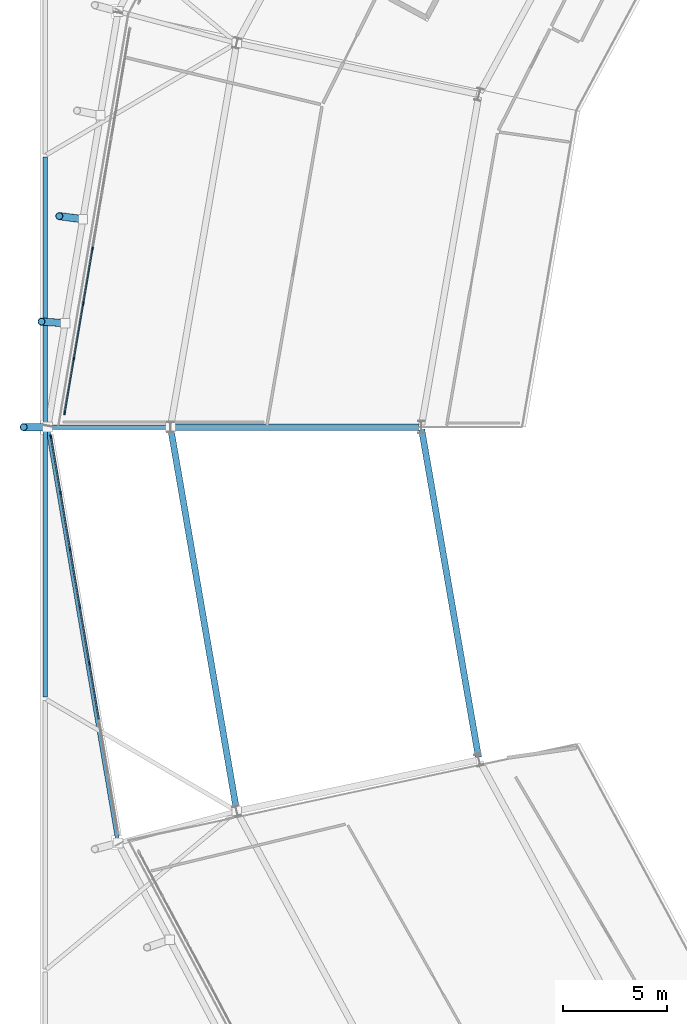
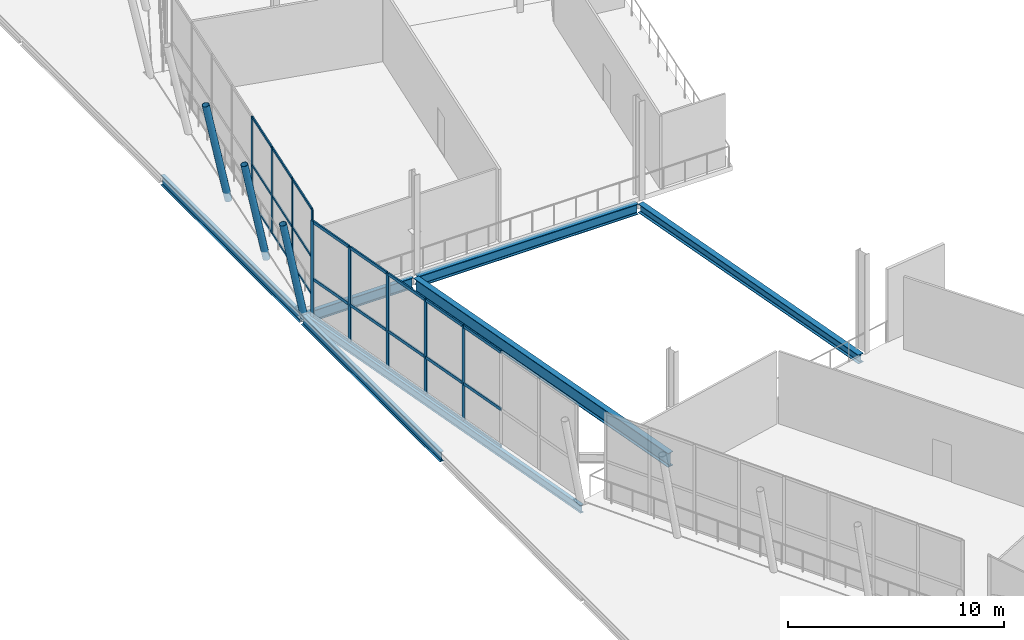
# One storey, part 25 of 99: 36 members, 7 beams, 2 elements without a shape of their own.
"""IFC4 building model written with IfcOpenShell, lengths in metres."""

from ifc_helpers import new_model, si_unit, direction, frame, origin, origin_2d, place, context, subcontext, project, spatial, rectangle, hollow_circle, i_section, extrude, material, material_profile, profile_set, type_object, element, aggregate, save


model = new_model("IFC4")

# Units and contexts
model_context = context("Model", 3, precision=1e-05, world=origin(), true_north=direction((0.0, 1.0)))
body_context = subcontext(model_context, "Body", "Model", "MODEL_VIEW")
ifc_project = project(units=[si_unit("LENGTHUNIT", "METRE"), si_unit("AREAUNIT", "SQUARE_METRE"), si_unit("VOLUMEUNIT", "CUBIC_METRE"), si_unit("PLANEANGLEUNIT", "RADIAN"), si_unit("MASSUNIT", "GRAM", prefix="KILO")], contexts=[model_context])

# Site, building, storey
site_placement = place(None, origin())
site = spatial("IfcSite", under=ifc_project, at=site_placement, CompositionType="ELEMENT")
building_placement = place(site_placement, origin())
building = spatial("IfcBuilding", under=site, at=building_placement, Name="Zlatoyarsky Gate Stadium", CompositionType="ELEMENT")
storey_placement = place(building_placement, frame((0.0, 0.0, 26.199951171875)))
storey = spatial("IfcBuildingStorey", under=building, at=storey_placement, Name="L05", CompositionType="ELEMENT", Elevation=26.199951171875)

# Curtain wall, members
ifc_material_1 = material(Name="Thermally broken anodised aluminium curtain wall", Category="aluminium")
curtain_wall_type_1 = type_object("IfcCurtainWallType", Name="MONUMENTAL ARCHED GATE GLAZING UPPER", PredefinedType="USERDEFINED", material=ifc_material_1)
curtain_wall_1_placement = place(storey_placement, origin())
curtain_wall_1 = element("IfcCurtainWall", 1, at=curtain_wall_1_placement, inside=storey, type_object=curtain_wall_type_1, Name="Curtain wall CW-L05-12", ObjectType="ARCHED GATE GLAZING", PredefinedType="USERDEFINED")
ifc_material_2 = material(Name="Anodised aluminium 6063-T6", Category="aluminium")
ifc_material_profile_1 = material_profile(ifc_material_2, rectangle(XDim=0.074951171875, YDim=0.18994140625, at=origin_2d()), Name="ALU 75X190")
ifc_profile_set_1 = profile_set([ifc_material_profile_1], Name="Anodised aluminium 6063-T6")
member_type_1 = type_object("IfcMemberType", Name="ALUMINIUM GATE MULLION 75X190", PredefinedType="MULLION", material=ifc_profile_set_1)
member_1_placement = place(storey_placement, frame((12.283203125, 79.519287109375, -0.260009765625), z_axis=(0.0, 0.0, 1.0), x_axis=(0.985957733522, 0.166995052945, 0.0)))
member_1 = element("IfcMember", 2, at=member_1_placement, type_object=member_type_1, Name="CW-AG2 mullion 1", PredefinedType="MULLION", context=body_context, shape_type="SweptSolid", body=[
    extrude(rectangle(XDim=0.074951171875, YDim=0.18994140625, at=origin_2d()), origin(), (0.0, 0.0, 1.0), 5.41015625),
])
member_2_placement = place(storey_placement, frame((12.736572265625, 76.843505859375, -0.260009765625), z_axis=(0.0, 0.0, 1.0), x_axis=(0.985957733522, 0.166995052945, 0.0)))
member_2 = element("IfcMember", 3, at=member_2_placement, type_object=member_type_1, Name="CW-AG2 mullion 2", PredefinedType="MULLION", context=body_context, shape_type="SweptSolid", body=[
    extrude(rectangle(XDim=0.074951171875, YDim=0.18994140625, at=origin_2d()), origin(), (0.0, 0.0, 1.0), 5.41015625),
])
member_3_placement = place(storey_placement, frame((13.196044921875, 74.130859375, -0.260009765625), z_axis=(0.0, 0.0, 1.0), x_axis=(0.985957733522, 0.166995052945, 0.0)))
member_3 = element("IfcMember", 4, at=member_3_placement, type_object=member_type_1, Name="CW-AG2 mullion 3", PredefinedType="MULLION", context=body_context, shape_type="SweptSolid", body=[
    extrude(rectangle(XDim=0.074951171875, YDim=0.18994140625, at=origin_2d()), origin(), (0.0, 0.0, 1.0), 5.41015625),
])
member_4_placement = place(storey_placement, frame((13.655517578125, 71.41796875, -0.260009765625), z_axis=(0.0, 0.0, 1.0), x_axis=(0.985957733522, 0.166995052945, 0.0)))
member_4 = element("IfcMember", 5, at=member_4_placement, type_object=member_type_1, Name="CW-AG2 mullion 4", PredefinedType="MULLION", context=body_context, shape_type="SweptSolid", body=[
    extrude(rectangle(XDim=0.074951171875, YDim=0.18994140625, at=origin_2d()), origin(), (0.0, 0.0, 1.0), 5.41015625),
])
member_5_placement = place(storey_placement, frame((14.114990234375, 68.705322265625, -0.260009765625), z_axis=(0.0, 0.0, 1.0), x_axis=(0.985957733522, 0.166995052945, 0.0)))
member_5 = element("IfcMember", 6, at=member_5_placement, type_object=member_type_1, Name="CW-AG2 mullion 5", PredefinedType="MULLION", context=body_context, shape_type="SweptSolid", body=[
    extrude(rectangle(XDim=0.074951171875, YDim=0.18994140625, at=origin_2d()), origin(), (0.0, 0.0, 1.0), 5.41015625),
])
ifc_material_profile_2 = material_profile(ifc_material_2, rectangle(XDim=0.074951171875, YDim=0.169921875, at=origin_2d()), Name="ALU 75X170")
ifc_profile_set_2 = profile_set([ifc_material_profile_2], Name="Anodised aluminium 6063-T6")
member_type_2 = type_object("IfcMemberType", Name="ALUMINIUM GATE TRANSOM 75X170", PredefinedType="USERDEFINED", material=ifc_profile_set_2)
member_6_placement = place(storey_placement, frame((12.28955078125, 79.482421875, -0.222412109375), z_axis=(0.166993906311, -0.985957927731, 0.0), x_axis=(0.985957927731, 0.166993906311, 0.0)))
member_6 = element("IfcMember", 7, at=member_6_placement, type_object=member_type_2, Name="CW-AG2 transom 1.1", ObjectType="TRANSOM", PredefinedType="USERDEFINED", context=body_context, shape_type="SweptSolid", body=[
    extrude(rectangle(XDim=0.074951171875, YDim=0.169921875, at=origin_2d()), origin(), (0.0, 0.0, 1.0), 2.638916015625),
])
member_7_placement = place(storey_placement, frame((12.28955078125, 79.482421875, 1.89013671875), z_axis=(0.166993906311, -0.985957927731, 0.0), x_axis=(0.985957927731, 0.166993906311, 0.0)))
member_7 = element("IfcMember", 8, at=member_7_placement, type_object=member_type_2, Name="CW-AG2 transom 1.2", ObjectType="TRANSOM", PredefinedType="USERDEFINED", context=body_context, shape_type="SweptSolid", body=[
    extrude(rectangle(XDim=0.074951171875, YDim=0.169921875, at=origin_2d()), origin(), (0.0, 0.0, 1.0), 2.638916015625),
])
member_8_placement = place(storey_placement, frame((12.28955078125, 79.482421875, 5.112548828125), z_axis=(0.166993906311, -0.985957927731, 0.0), x_axis=(0.985957927731, 0.166993906311, 0.0)))
member_8 = element("IfcMember", 9, at=member_8_placement, type_object=member_type_2, Name="CW-AG2 transom 1.3", ObjectType="TRANSOM", PredefinedType="USERDEFINED", context=body_context, shape_type="SweptSolid", body=[
    extrude(rectangle(XDim=0.074951171875, YDim=0.169921875, at=origin_2d()), origin(), (0.0, 0.0, 1.0), 2.638916015625),
])
member_9_placement = place(storey_placement, frame((12.74267578125, 76.806640625, -0.222412109375), z_axis=(0.167016554853, -0.985954091429, 0.0), x_axis=(0.985954091429, 0.167016554853, 0.0)))
member_9 = element("IfcMember", 10, at=member_9_placement, type_object=member_type_2, Name="CW-AG2 transom 2.1", ObjectType="TRANSOM", PredefinedType="USERDEFINED", context=body_context, shape_type="SweptSolid", body=[
    extrude(rectangle(XDim=0.074951171875, YDim=0.169921875, at=origin_2d()), origin(), (0.0, 0.0, 1.0), 2.676513671875),
])
member_10_placement = place(storey_placement, frame((12.74267578125, 76.806640625, 1.89013671875), z_axis=(0.167016554853, -0.985954091429, 0.0), x_axis=(0.985954091429, 0.167016554853, 0.0)))
member_10 = element("IfcMember", 11, at=member_10_placement, type_object=member_type_2, Name="CW-AG2 transom 2.2", ObjectType="TRANSOM", PredefinedType="USERDEFINED", context=body_context, shape_type="SweptSolid", body=[
    extrude(rectangle(XDim=0.074951171875, YDim=0.169921875, at=origin_2d()), origin(), (0.0, 0.0, 1.0), 2.676513671875),
])
member_11_placement = place(storey_placement, frame((12.74267578125, 76.806640625, 5.112548828125), z_axis=(0.167016554853, -0.985954091429, 0.0), x_axis=(0.985954091429, 0.167016554853, 0.0)))
member_11 = element("IfcMember", 12, at=member_11_placement, type_object=member_type_2, Name="CW-AG2 transom 2.3", ObjectType="TRANSOM", PredefinedType="USERDEFINED", context=body_context, shape_type="SweptSolid", body=[
    extrude(rectangle(XDim=0.074951171875, YDim=0.169921875, at=origin_2d()), origin(), (0.0, 0.0, 1.0), 2.676513671875),
])
member_12_placement = place(storey_placement, frame((13.2021484375, 74.09375, -0.222412109375), z_axis=(0.167031576788, -0.985951546657, 0.0), x_axis=(0.985951546657, 0.167031576788, 0.0)))
member_12 = element("IfcMember", 13, at=member_12_placement, type_object=member_type_2, Name="CW-AG2 transom 3.1", ObjectType="TRANSOM", PredefinedType="USERDEFINED", context=body_context, shape_type="SweptSolid", body=[
    extrude(rectangle(XDim=0.074951171875, YDim=0.169921875, at=origin_2d()), origin(), (0.0, 0.0, 1.0), 2.67626953125),
])
member_13_placement = place(storey_placement, frame((13.2021484375, 74.09375, 1.89013671875), z_axis=(0.167031576788, -0.985951546657, 0.0), x_axis=(0.985951546657, 0.167031576788, 0.0)))
member_13 = element("IfcMember", 14, at=member_13_placement, type_object=member_type_2, Name="CW-AG2 transom 3.2", ObjectType="TRANSOM", PredefinedType="USERDEFINED", context=body_context, shape_type="SweptSolid", body=[
    extrude(rectangle(XDim=0.074951171875, YDim=0.169921875, at=origin_2d()), origin(), (0.0, 0.0, 1.0), 2.67626953125),
])
member_14_placement = place(storey_placement, frame((13.2021484375, 74.09375, 5.112548828125), z_axis=(0.167031576788, -0.985951546657, 0.0), x_axis=(0.985951546657, 0.167031576788, 0.0)))
member_14 = element("IfcMember", 15, at=member_14_placement, type_object=member_type_2, Name="CW-AG2 transom 3.3", ObjectType="TRANSOM", PredefinedType="USERDEFINED", context=body_context, shape_type="SweptSolid", body=[
    extrude(rectangle(XDim=0.074951171875, YDim=0.169921875, at=origin_2d()), origin(), (0.0, 0.0, 1.0), 2.67626953125),
])
member_15_placement = place(storey_placement, frame((13.66162109375, 71.381103515625, -0.222412109375), z_axis=(0.167016554853, -0.985954091429, 0.0), x_axis=(0.985954091429, 0.167016554853, 0.0)))
member_15 = element("IfcMember", 16, at=member_15_placement, type_object=member_type_2, Name="CW-AG2 transom 4.1", ObjectType="TRANSOM", PredefinedType="USERDEFINED", context=body_context, shape_type="SweptSolid", body=[
    extrude(rectangle(XDim=0.074951171875, YDim=0.169921875, at=origin_2d()), origin(), (0.0, 0.0, 1.0), 2.676513671875),
])
member_16_placement = place(storey_placement, frame((13.66162109375, 71.381103515625, 1.89013671875), z_axis=(0.167016554853, -0.985954091429, 0.0), x_axis=(0.985954091429, 0.167016554853, 0.0)))
member_16 = element("IfcMember", 17, at=member_16_placement, type_object=member_type_2, Name="CW-AG2 transom 4.2", ObjectType="TRANSOM", PredefinedType="USERDEFINED", context=body_context, shape_type="SweptSolid", body=[
    extrude(rectangle(XDim=0.074951171875, YDim=0.169921875, at=origin_2d()), origin(), (0.0, 0.0, 1.0), 2.676513671875),
])
member_17_placement = place(storey_placement, frame((13.66162109375, 71.381103515625, 5.112548828125), z_axis=(0.167016554853, -0.985954091429, 0.0), x_axis=(0.985954091429, 0.167016554853, 0.0)))
member_17 = element("IfcMember", 18, at=member_17_placement, type_object=member_type_2, Name="CW-AG2 transom 4.3", ObjectType="TRANSOM", PredefinedType="USERDEFINED", context=body_context, shape_type="SweptSolid", body=[
    extrude(rectangle(XDim=0.074951171875, YDim=0.169921875, at=origin_2d()), origin(), (0.0, 0.0, 1.0), 2.676513671875),
])
member_18_placement = place(storey_placement, frame((14.12109375, 68.668212890625, -0.222412109375), z_axis=(0.167016554853, -0.985954091429, 0.0), x_axis=(0.985954091429, 0.167016554853, 0.0)))
member_18 = element("IfcMember", 19, at=member_18_placement, type_object=member_type_2, Name="CW-AG2 transom 5.1", ObjectType="TRANSOM", PredefinedType="USERDEFINED", context=body_context, shape_type="SweptSolid", body=[
    extrude(rectangle(XDim=0.074951171875, YDim=0.169921875, at=origin_2d()), origin(), (0.0, 0.0, 1.0), 2.676513671875),
])
member_19_placement = place(storey_placement, frame((14.12109375, 68.668212890625, 1.89013671875), z_axis=(0.167016554853, -0.985954091429, 0.0), x_axis=(0.985954091429, 0.167016554853, 0.0)))
member_19 = element("IfcMember", 20, at=member_19_placement, type_object=member_type_2, Name="CW-AG2 transom 5.2", ObjectType="TRANSOM", PredefinedType="USERDEFINED", context=body_context, shape_type="SweptSolid", body=[
    extrude(rectangle(XDim=0.074951171875, YDim=0.169921875, at=origin_2d()), origin(), (0.0, 0.0, 1.0), 2.676513671875),
])
member_20_placement = place(storey_placement, frame((14.12109375, 68.668212890625, 5.112548828125), z_axis=(0.167016554853, -0.985954091429, 0.0), x_axis=(0.985954091429, 0.167016554853, 0.0)))
member_20 = element("IfcMember", 21, at=member_20_placement, type_object=member_type_2, Name="CW-AG2 transom 5.3", ObjectType="TRANSOM", PredefinedType="USERDEFINED", context=body_context, shape_type="SweptSolid", body=[
    extrude(rectangle(XDim=0.074951171875, YDim=0.169921875, at=origin_2d()), origin(), (0.0, 0.0, 1.0), 2.676513671875),
])
aggregate(curtain_wall_1, [member_1, member_2, member_3, member_4, member_5, member_6, member_7, member_8, member_9, member_10, member_11, member_12, member_13, member_14, member_15, member_16, member_17, member_18, member_19, member_20])

curtain_wall_type_2 = type_object("IfcCurtainWallType", Name="UNITISED SKYBOX RING GLAZING L05", PredefinedType="USERDEFINED", material=ifc_material_1)
curtain_wall_2_placement = place(storey_placement, origin())
curtain_wall_2 = element("IfcCurtainWall", 22, at=curtain_wall_2_placement, inside=storey, type_object=curtain_wall_type_2, Name="Curtain wall CW-L05-11", ObjectType="UNITISED GLAZING", PredefinedType="USERDEFINED")
ifc_material_profile_3 = material_profile(ifc_material_2, rectangle(XDim=0.06494140625, YDim=0.159912109375, at=origin_2d()), Name="ALU 65X160")
ifc_profile_set_3 = profile_set([ifc_material_profile_3], Name="Anodised aluminium 6063-T6")
member_type_3 = type_object("IfcMemberType", Name="ALUMINIUM MULLION 65X160", PredefinedType="MULLION", material=ifc_profile_set_3)
member_21_placement = place(storey_placement, frame((14.271240234375, 88.54150390625, 0.0), z_axis=(0.0, 0.0, 1.0), x_axis=(0.985908807049, -0.167283663824, 0.0)))
member_21 = element("IfcMember", 23, at=member_21_placement, type_object=member_type_3, Name="CW-UG5 mullion 5", PredefinedType="MULLION", context=body_context, shape_type="SweptSolid", body=[
    extrude(rectangle(XDim=0.06494140625, YDim=0.159912109375, at=origin_2d()), origin(), (0.0, 0.0, 1.0), 4.880126953125),
])
member_22_placement = place(storey_placement, frame((13.82421875, 85.907958984375, 0.0), z_axis=(0.0, 0.0, 1.0), x_axis=(0.985908807049, -0.167283663824, 0.0)))
member_22 = element("IfcMember", 24, at=member_22_placement, type_object=member_type_3, Name="CW-UG5 mullion 6", PredefinedType="MULLION", context=body_context, shape_type="SweptSolid", body=[
    extrude(rectangle(XDim=0.06494140625, YDim=0.159912109375, at=origin_2d()), origin(), (0.0, 0.0, 1.0), 4.880126953125),
])
member_23_placement = place(storey_placement, frame((13.37744140625, 83.2744140625, 0.0), z_axis=(0.0, 0.0, 1.0), x_axis=(0.985908807049, -0.167283663824, 0.0)))
member_23 = element("IfcMember", 25, at=member_23_placement, type_object=member_type_3, Name="CW-UG5 mullion 7", PredefinedType="MULLION", context=body_context, shape_type="SweptSolid", body=[
    extrude(rectangle(XDim=0.06494140625, YDim=0.159912109375, at=origin_2d()), origin(), (0.0, 0.0, 1.0), 4.880126953125),
])
member_24_placement = place(storey_placement, frame((12.93603515625, 80.6728515625, 0.0), z_axis=(0.0, 0.0, 1.0), x_axis=(0.985908807049, -0.167283663824, 0.0)))
member_24 = element("IfcMember", 26, at=member_24_placement, type_object=member_type_3, Name="CW-UG5 mullion 8", PredefinedType="MULLION", context=body_context, shape_type="SweptSolid", body=[
    extrude(rectangle(XDim=0.06494140625, YDim=0.159912109375, at=origin_2d()), origin(), (0.0, 0.0, 1.0), 4.880126953125),
])
ifc_material_profile_4 = material_profile(ifc_material_2, rectangle(XDim=0.06494140625, YDim=0.139892578125, at=origin_2d()), Name="ALU 65X140")
ifc_profile_set_4 = profile_set([ifc_material_profile_4], Name="Anodised aluminium 6063-T6")
member_type_4 = type_object("IfcMemberType", Name="ALUMINIUM TRANSOM 65X140", PredefinedType="USERDEFINED", material=ifc_profile_set_4)
member_25_placement = place(storey_placement, frame((14.265625, 88.50927734375, 0.032470703125), z_axis=(-0.167223991835, -0.985918930011, 0.0), x_axis=(0.985918930011, -0.167223991835, 0.0)))
member_25 = element("IfcMember", 27, at=member_25_placement, type_object=member_type_4, Name="CW-UG5 transom 5.1", ObjectType="TRANSOM", PredefinedType="USERDEFINED", context=body_context, shape_type="SweptSolid", body=[
    extrude(rectangle(XDim=0.06494140625, YDim=0.139892578125, at=origin_2d()), origin(), (0.0, 0.0, 1.0), 2.60595703125),
])
member_26_placement = place(storey_placement, frame((14.265625, 88.50927734375, 2.150146484375), z_axis=(-0.167223991835, -0.985918930011, 0.0), x_axis=(0.985918930011, -0.167223991835, 0.0)))
member_26 = element("IfcMember", 28, at=member_26_placement, type_object=member_type_4, Name="CW-UG5 transom 5.2", ObjectType="TRANSOM", PredefinedType="USERDEFINED", context=body_context, shape_type="SweptSolid", body=[
    extrude(rectangle(XDim=0.06494140625, YDim=0.139892578125, at=origin_2d()), origin(), (0.0, 0.0, 1.0), 2.60595703125),
])
member_27_placement = place(storey_placement, frame((14.265625, 88.50927734375, 4.84765625), z_axis=(-0.167223991835, -0.985918930011, 0.0), x_axis=(0.985918930011, -0.167223991835, 0.0)))
member_27 = element("IfcMember", 29, at=member_27_placement, type_object=member_type_4, Name="CW-UG5 transom 5.3", ObjectType="TRANSOM", PredefinedType="USERDEFINED", context=body_context, shape_type="SweptSolid", body=[
    extrude(rectangle(XDim=0.06494140625, YDim=0.139892578125, at=origin_2d()), origin(), (0.0, 0.0, 1.0), 2.60595703125),
])
member_28_placement = place(storey_placement, frame((13.81884765625, 85.875732421875, 0.032470703125), z_axis=(-0.167315052867, -0.985903480613, 0.0), x_axis=(0.985903480613, -0.167315052867, 0.0)))
member_28 = element("IfcMember", 30, at=member_28_placement, type_object=member_type_4, Name="CW-UG5 transom 6.1", ObjectType="TRANSOM", PredefinedType="USERDEFINED", context=body_context, shape_type="SweptSolid", body=[
    extrude(rectangle(XDim=0.06494140625, YDim=0.139892578125, at=origin_2d()), origin(), (0.0, 0.0, 1.0), 2.60595703125),
])
member_29_placement = place(storey_placement, frame((13.81884765625, 85.875732421875, 2.150146484375), z_axis=(-0.167315052867, -0.985903480613, 0.0), x_axis=(0.985903480613, -0.167315052867, 0.0)))
member_29 = element("IfcMember", 31, at=member_29_placement, type_object=member_type_4, Name="CW-UG5 transom 6.2", ObjectType="TRANSOM", PredefinedType="USERDEFINED", context=body_context, shape_type="SweptSolid", body=[
    extrude(rectangle(XDim=0.06494140625, YDim=0.139892578125, at=origin_2d()), origin(), (0.0, 0.0, 1.0), 2.60595703125),
])
member_30_placement = place(storey_placement, frame((13.81884765625, 85.875732421875, 4.84765625), z_axis=(-0.167315052867, -0.985903480613, 0.0), x_axis=(0.985903480613, -0.167315052867, 0.0)))
member_30 = element("IfcMember", 32, at=member_30_placement, type_object=member_type_4, Name="CW-UG5 transom 6.3", ObjectType="TRANSOM", PredefinedType="USERDEFINED", context=body_context, shape_type="SweptSolid", body=[
    extrude(rectangle(XDim=0.06494140625, YDim=0.139892578125, at=origin_2d()), origin(), (0.0, 0.0, 1.0), 2.60595703125),
])
member_31_placement = place(storey_placement, frame((13.3720703125, 83.2421875, 0.032470703125), z_axis=(-0.167336413432, -0.98589985533, 0.0), x_axis=(0.98589985533, -0.167336413432, 0.0)))
member_31 = element("IfcMember", 33, at=member_31_placement, type_object=member_type_4, Name="CW-UG5 transom 7.1", ObjectType="TRANSOM", PredefinedType="USERDEFINED", context=body_context, shape_type="SweptSolid", body=[
    extrude(rectangle(XDim=0.06494140625, YDim=0.139892578125, at=origin_2d()), origin(), (0.0, 0.0, 1.0), 2.57373046875),
])
member_32_placement = place(storey_placement, frame((13.3720703125, 83.2421875, 2.150146484375), z_axis=(-0.167336413432, -0.98589985533, 0.0), x_axis=(0.98589985533, -0.167336413432, 0.0)))
member_32 = element("IfcMember", 34, at=member_32_placement, type_object=member_type_4, Name="CW-UG5 transom 7.2", ObjectType="TRANSOM", PredefinedType="USERDEFINED", context=body_context, shape_type="SweptSolid", body=[
    extrude(rectangle(XDim=0.06494140625, YDim=0.139892578125, at=origin_2d()), origin(), (0.0, 0.0, 1.0), 2.57373046875),
])
member_33_placement = place(storey_placement, frame((13.3720703125, 83.2421875, 4.84765625), z_axis=(-0.167336413432, -0.98589985533, 0.0), x_axis=(0.98589985533, -0.167336413432, 0.0)))
member_33 = element("IfcMember", 35, at=member_33_placement, type_object=member_type_4, Name="CW-UG5 transom 7.3", ObjectType="TRANSOM", PredefinedType="USERDEFINED", context=body_context, shape_type="SweptSolid", body=[
    extrude(rectangle(XDim=0.06494140625, YDim=0.139892578125, at=origin_2d()), origin(), (0.0, 0.0, 1.0), 2.57373046875),
])
aggregate(curtain_wall_2, [member_21, member_22, member_23, member_24, member_25, member_26, member_27, member_28, member_29, member_30, member_31, member_32, member_33])

# Beams
ifc_material_3 = material(Name="Steel S355", Category="steel")
ifc_material_profile_5 = material_profile(ifc_material_3, i_section(OverallWidth=0.219970703125, OverallDepth=0.60009765625, WebThickness=0.011962890625, FlangeThickness=0.01904296875, FilletRadius=0.02392578125, at=origin_2d()), Name="IPE 600")
ifc_profile_set_5 = profile_set([ifc_material_profile_5], Name="Steel S355")
beam_type_1 = type_object("IfcBeamType", Name="STEEL CANTILEVER FLOOR BEAM IPE 600", PredefinedType="BEAM", material=ifc_profile_set_5)
beam_1_placement = place(storey_placement, frame((17.8798828125, 80.0, -0.56005859375), z_axis=(-1.0, 0.0, 0.0), x_axis=(0.0, -1.0, 0.0)))
element("IfcBeam", 36, at=beam_1_placement, inside=storey, type_object=beam_type_1, Name="Beam B-IPE600 BM-L05-OUT-12", PredefinedType="BEAM", context=body_context, shape_type="SweptSolid", body=[
    extrude(i_section(OverallWidth=0.219970703125, OverallDepth=0.60009765625, WebThickness=0.011962890625, FlangeThickness=0.01904296875, FilletRadius=0.02392578125, at=origin_2d()), origin(), (0.0, 0.0, 1.0), 5.758056640625),
])
ifc_material_profile_6 = material_profile(ifc_material_3, i_section(OverallWidth=0.18994140625, OverallDepth=0.449951171875, WebThickness=0.009521484375, FlangeThickness=0.0146484375, FilletRadius=0.02099609375, at=origin_2d()), Name="IPE 450")
ifc_profile_set_6 = profile_set([ifc_material_profile_6], Name="Steel S355")
beam_type_2 = type_object("IfcBeamType", Name="STEEL EDGE SPANDREL IPE 450", PredefinedType="SPANDREL", material=ifc_profile_set_6)
beam_2_placement = place(storey_placement, frame((12.125244140625, 79.980224609375, -0.48486328125), z_axis=(0.166953846626, -0.985964711892, 0.0), x_axis=(0.985964711892, 0.166953846626, 0.0)))
element("IfcBeam", 37, at=beam_2_placement, inside=storey, type_object=beam_type_2, Name="Beam SP-IPE450 BM-L05-SPD-12", PredefinedType="SPANDREL", context=body_context, shape_type="SweptSolid", body=[
    extrude(i_section(OverallWidth=0.18994140625, OverallDepth=0.449951171875, WebThickness=0.009521484375, FlangeThickness=0.0146484375, FilletRadius=0.02099609375, at=origin_2d()), origin(), (0.0, 0.0, 1.0), 20.140625),
])
ifc_material_profile_7 = material_profile(ifc_material_3, i_section(OverallWidth=0.2099609375, OverallDepth=0.550048828125, WebThickness=0.010986328125, FlangeThickness=0.01708984375, FilletRadius=0.02392578125, at=origin_2d()), Name="IPE 550")
ifc_profile_set_7 = profile_set([ifc_material_profile_7], Name="Steel S355")
beam_type_3 = type_object("IfcBeamType", Name="STEEL FLOOR BEAM IPE 550", PredefinedType="BEAM", material=ifc_profile_set_7)
for number, where, z_axis, x_axis, name in (
    (38, (12.0, 67.080078125, -0.534912109375), (0.0, 1.0, 0.0), (-1.0, 0.0, 0.0), "Beam B-IPE550 BM-L05-WGY-2-G"),
    (39, (12.0, 80.080078125, -0.534912109375), (0.0, 1.0, 0.0), (-1.0, 0.0, 0.0), "Beam B-IPE550 BM-L05-WGY-2-H"),
):
    element("IfcBeam", number, at=place(storey_placement, frame(where, z_axis=z_axis, x_axis=x_axis)), inside=storey, type_object=beam_type_3, Name=name, PredefinedType="BEAM", context=body_context, shape_type="SweptSolid", body=[
        extrude(i_section(OverallWidth=0.2099609375, OverallDepth=0.550048828125, WebThickness=0.010986328125, FlangeThickness=0.01708984375, FilletRadius=0.02392578125, at=origin_2d()), origin(), (0.0, 0.0, 1.0), 12.83984375),
    ])

# Members
ifc_material_profile_8 = material_profile(ifc_material_3, hollow_circle(Radius=0.177734375, WallThickness=0.02001953125, at=origin_2d()), Name="CHS 355.6X20")
ifc_profile_set_8 = profile_set([ifc_material_profile_8], Name="Steel S355")
member_type_5 = type_object("IfcMemberType", Name="STEEL LEANING RIB RING STRUT CHS 355.6X20", PredefinedType="STRUT", material=ifc_profile_set_8)
member_34_placement = place(storey_placement, frame((13.806396484375, 89.94873046875, -0.510009765625), z_axis=(-0.195693292816, 0.025751342983, 0.980326988041), x_axis=(-0.130465595899, -0.991452837147, 0.0)))
element("IfcMember", 40, at=member_34_placement, inside=storey, type_object=member_type_5, Name="Outward-leaning bowl louvre fin rib L05 11-2", PredefinedType="STRUT", context=body_context, shape_type="SweptSolid", body=[
    extrude(hollow_circle(Radius=0.177734375, WallThickness=0.02001953125, at=origin_2d()), origin(), (0.0, 0.0, 1.0), 5.773681640625),
])
member_35_placement = place(storey_placement, frame((12.964111328125, 84.974365234375, -0.510009765625), z_axis=(-0.197368095817, 0.012895730339, 0.980244630127), x_axis=(-0.065199450922, -0.997872252144, 0.0)))
element("IfcMember", 41, at=member_35_placement, inside=storey, type_object=member_type_5, Name="Outward-leaning bowl louvre fin rib L05 11-3", PredefinedType="STRUT", context=body_context, shape_type="SweptSolid", body=[
    extrude(hollow_circle(Radius=0.177734375, WallThickness=0.02001953125, at=origin_2d()), origin(), (0.0, 0.0, 1.0), 5.774169921875),
])
member_36_placement = place(storey_placement, frame((12.121826171875, 80.0, -0.56005859375), z_axis=(-0.197333114492, 0.0, 0.980336494233), x_axis=(0.0, -1.0, 0.0)))
element("IfcMember", 42, at=member_36_placement, inside=storey, type_object=member_type_5, Name="Upper leaning rib ring strut 12", PredefinedType="STRUT", context=body_context, shape_type="SweptSolid", body=[
    extrude(hollow_circle(Radius=0.177734375, WallThickness=0.02001953125, at=origin_2d()), origin(), (0.0, 0.0, 1.0), 5.82470703125),
])

# Beams
ifc_material_profile_9 = material_profile(ifc_material_3, i_section(OverallWidth=0.300048828125, OverallDepth=0.5, WebThickness=0.014404296875, FlangeThickness=0.028076171875, FilletRadius=0.027099609375, at=origin_2d()), Name="HEB 500")
ifc_profile_set_9 = profile_set([ifc_material_profile_9], Name="Steel S355")
beam_type_4 = type_object("IfcBeamType", Name="STEEL PRIMARY GIRDER HEB 500", PredefinedType="BEAM", material=ifc_profile_set_9)
beam_3_placement = place(storey_placement, frame((30.0205078125, 79.8818359375, -0.510009765625), z_axis=(0.170843315562, -0.985298209441, 0.0), x_axis=(0.985298209441, 0.170843315562, 0.0)))
element("IfcBeam", 43, at=beam_3_placement, inside=storey, type_object=beam_type_4, Name="Beam G-HEB500 BM-L05-CRB-12", PredefinedType="BEAM", context=body_context, shape_type="SweptSolid", body=[
    extrude(i_section(OverallWidth=0.300048828125, OverallDepth=0.5, WebThickness=0.014404296875, FlangeThickness=0.028076171875, FilletRadius=0.027099609375, at=origin_2d()), origin(), (0.0, 0.0, 1.0), 15.9150390625),
])
ifc_material_profile_10 = material_profile(ifc_material_3, i_section(OverallWidth=0.300048828125, OverallDepth=0.60009765625, WebThickness=0.015380859375, FlangeThickness=0.030029296875, FilletRadius=0.027099609375, at=origin_2d()), Name="HEB 600")
ifc_profile_set_10 = profile_set([ifc_material_profile_10], Name="Steel S355")
beam_type_5 = type_object("IfcBeamType", Name="STEEL PRIMARY GIRDER HEB 600", PredefinedType="BEAM", material=ifc_profile_set_10)
beam_4_placement = place(storey_placement, frame((29.8798828125, 80.0, -0.56005859375), z_axis=(-1.0, 0.0, 0.0), x_axis=(0.0, -1.0, 0.0)))
element("IfcBeam", 44, at=beam_4_placement, inside=storey, type_object=beam_type_5, Name="Beam G-HEB600 BM-L05-RBC-12", PredefinedType="BEAM", context=body_context, shape_type="SweptSolid", body=[
    extrude(i_section(OverallWidth=0.300048828125, OverallDepth=0.60009765625, WebThickness=0.015380859375, FlangeThickness=0.030029296875, FilletRadius=0.027099609375, at=origin_2d()), origin(), (0.0, 0.0, 1.0), 11.759765625),
])
ifc_material_profile_11 = material_profile(ifc_material_3, i_section(OverallWidth=0.300048828125, OverallDepth=0.800048828125, WebThickness=0.017578125, FlangeThickness=0.032958984375, FilletRadius=0.030029296875, at=origin_2d()), Name="HEB 800")
ifc_profile_set_11 = profile_set([ifc_material_profile_11], Name="Steel S355")
beam_type_6 = type_object("IfcBeamType", Name="STEEL PRIMARY GIRDER HEB 800", PredefinedType="BEAM", material=ifc_profile_set_11)
beam_5_placement = place(storey_placement, frame((18.0205078125, 79.881591796875, -0.659912109375), z_axis=(0.169930456666, -0.985456056807, 0.0), x_axis=(0.985456056807, 0.169930456666, 0.0)))
element("IfcBeam", 45, at=beam_5_placement, inside=storey, type_object=beam_type_6, Name="Beam G-HEB800 BM-L05-CRC-12", PredefinedType="BEAM", context=body_context, shape_type="SweptSolid", body=[
    extrude(i_section(OverallWidth=0.300048828125, OverallDepth=0.800048828125, WebThickness=0.017578125, FlangeThickness=0.032958984375, FilletRadius=0.030029296875, at=origin_2d()), origin(), (0.0, 0.0, 1.0), 18.4072265625),
])

save(model, "model.ifc")
